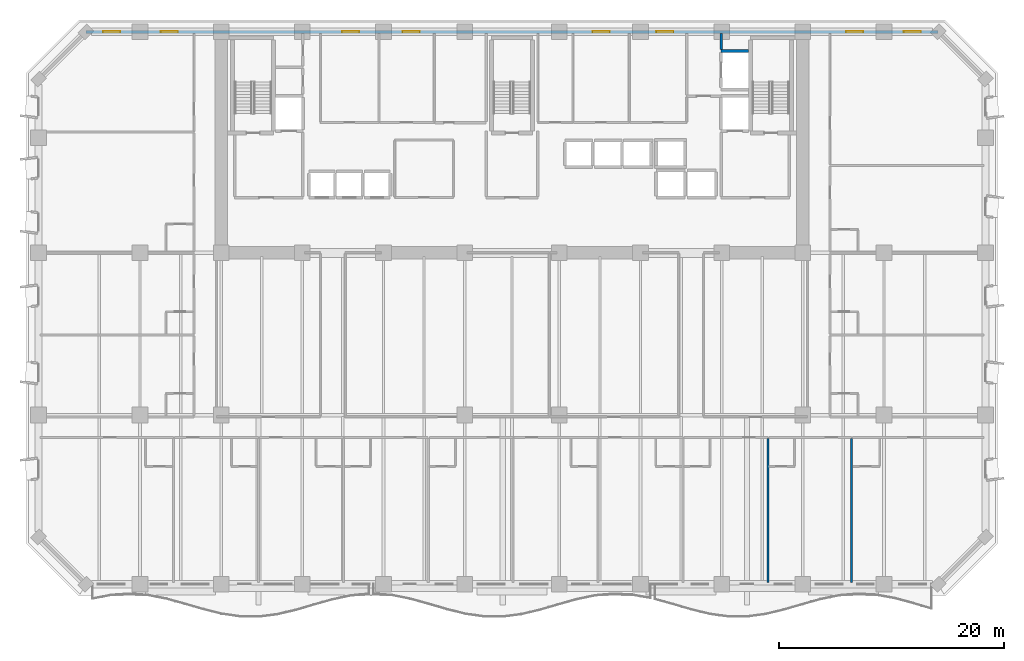
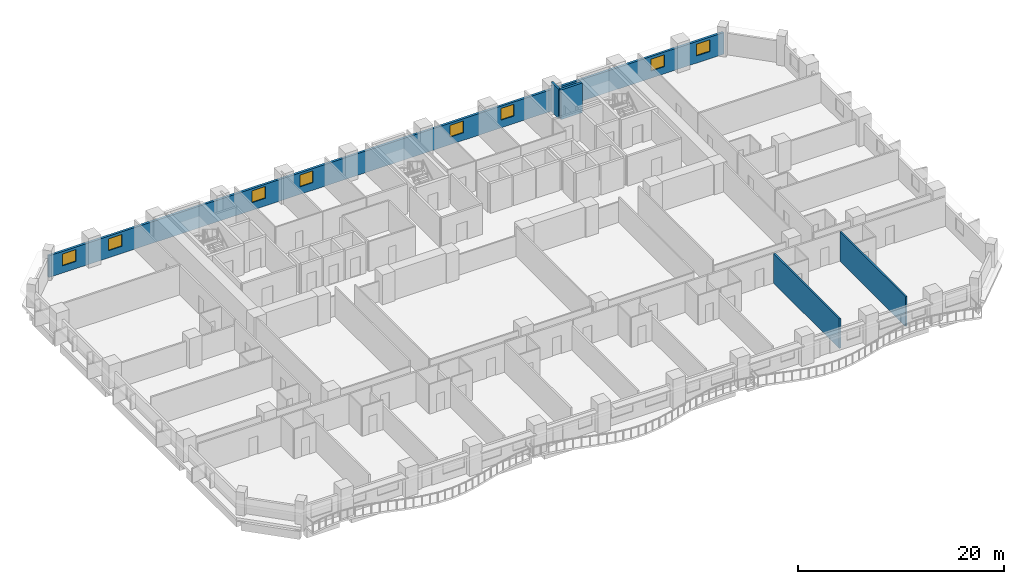
# One storey, part 9 of 15: 8 windows, 5 walls, 8 openings.
"""IFC4 building model written with IfcOpenShell, lengths in metres."""

from ifc_helpers import new_model, si_unit, direction, frame, frame_2d, origin, place, context, subcontext, project, spatial, rectangle, extrude, material, layer, layer_set, type_object, element, fill, save


model = new_model("IFC4")

# Units and contexts
model_context = context("Model", 3, precision=1e-05, world=origin(), true_north=direction((0.0, 1.0)))
body_context = subcontext(model_context, "Body", "Model", "MODEL_VIEW")
ifc_project = project(units=[si_unit("LENGTHUNIT", "METRE"), si_unit("AREAUNIT", "SQUARE_METRE"), si_unit("VOLUMEUNIT", "CUBIC_METRE"), si_unit("PLANEANGLEUNIT", "RADIAN"), si_unit("MASSUNIT", "GRAM", prefix="KILO")], contexts=[model_context])

# Site, building, storey
site_placement = place(None, origin())
site = spatial("IfcSite", under=ifc_project, at=site_placement, CompositionType="ELEMENT")
building_placement = place(site_placement, origin())
building = spatial("IfcBuilding", under=site, at=building_placement, Name="Kaelvorn Grand Hotel", CompositionType="ELEMENT")
storey_placement = place(building_placement, frame((0.0, 0.0, 65.14990234375)))
storey = spatial("IfcBuildingStorey", under=building, at=storey_placement, Name="L14", CompositionType="ELEMENT", Elevation=65.14990234375)

# Wall, openings, windows
ifc_material_1 = material(Name="Concrete C40/50", Category="concrete")
ifc_layer_1 = layer(ifc_material_1, 0.260009765625)
ifc_layer_set_1 = layer_set([ifc_layer_1], Name="Concrete C40/50")
wall_type_1 = type_object("IfcWallType", Name="WL-EXT-260-C40", PredefinedType="SOLIDWALL", material=ifc_layer_set_1)
wall_1_placement = place(storey_placement, frame((79.800048828125, 49.0, 0.0), z_axis=(0.0, 0.0, 1.0), x_axis=(-1.0, 0.0, 0.0)))
wall_1 = element("IfcWall", 1, at=wall_1_placement, inside=storey, type_object=wall_type_1, Name="L14 Exterior Architectural Concrete Wall 05", PredefinedType="SOLIDWALL", context=body_context, shape_type="SweptSolid", body=[
    extrude(rectangle(XDim=75.60009765625, YDim=0.260009765625, at=frame_2d((37.800048828125, 0.0))), origin(), (0.0, 0.0, 1.0), 2.56005859375),
])
opening_1_placement = place(wall_1_placement, frame((72.56494140625, 0.0, 0.85009765625)))
opening_1 = element("IfcOpeningElement", 2, at=opening_1_placement, cuts=wall_1, Name="Opening W10", PredefinedType="OPENING", context=body_context, shape_type="SweptSolid", body=[
    extrude(rectangle(XDim=1.5, YDim=1.39990234375, at=frame_2d((0.75, 0.699951171875))), frame((0.0, 0.14013671875, 0.0), z_axis=(0.0, -1.0, 0.0), x_axis=(1.0, 0.0, 0.0)), (0.0, 0.0, 1.0), 0.280029296875),
])
opening_2_placement = place(wall_1_placement, frame((67.449951171875, 0.0, 0.85009765625)))
opening_2 = element("IfcOpeningElement", 3, at=opening_2_placement, cuts=wall_1, Name="Opening W10", PredefinedType="OPENING", context=body_context, shape_type="SweptSolid", body=[
    extrude(rectangle(XDim=1.5, YDim=1.39990234375, at=frame_2d((0.75, 0.699951171875))), frame((0.0, 0.14013671875, 0.0), z_axis=(0.0, -1.0, 0.0), x_axis=(1.0, 0.0, 0.0)), (0.0, 0.0, 1.0), 0.280029296875),
])
opening_3_placement = place(wall_1_placement, frame((6.64990234375, 0.0, 0.85009765625)))
opening_3 = element("IfcOpeningElement", 4, at=opening_3_placement, cuts=wall_1, Name="Opening W10", PredefinedType="OPENING", context=body_context, shape_type="SweptSolid", body=[
    extrude(rectangle(XDim=1.5, YDim=1.39990234375, at=frame_2d((0.75, 0.699951171875))), frame((0.0, 0.14013671875, 0.0), z_axis=(0.0, -1.0, 0.0), x_axis=(1.0, 0.0, 0.0)), (0.0, 0.0, 1.0), 0.280029296875),
])
opening_4_placement = place(wall_1_placement, frame((1.534912109375, 0.0, 0.85009765625)))
opening_4 = element("IfcOpeningElement", 5, at=opening_4_placement, cuts=wall_1, Name="Opening W10", PredefinedType="OPENING", context=body_context, shape_type="SweptSolid", body=[
    extrude(rectangle(XDim=1.5, YDim=1.39990234375, at=frame_2d((0.75, 0.699951171875))), frame((0.0, 0.14013671875, 0.0), z_axis=(0.0, -1.0, 0.0), x_axis=(1.0, 0.0, 0.0)), (0.0, 0.0, 1.0), 0.280029296875),
])
opening_5_placement = place(wall_1_placement, frame((51.364990234375, 0.0, 0.89990234375)))
opening_5 = element("IfcOpeningElement", 6, at=opening_5_placement, cuts=wall_1, Name="Opening W10", PredefinedType="OPENING", context=body_context, shape_type="SweptSolid", body=[
    extrude(rectangle(XDim=1.5, YDim=1.39990234375, at=frame_2d((0.75, 0.699951171875))), frame((0.0, 0.14013671875, 0.0), z_axis=(0.0, -1.0, 0.0), x_axis=(1.0, 0.0, 0.0)), (0.0, 0.0, 1.0), 0.280029296875),
])
opening_6_placement = place(wall_1_placement, frame((46.0, 0.0, 0.89990234375)))
opening_6 = element("IfcOpeningElement", 7, at=opening_6_placement, cuts=wall_1, Name="Opening W10", PredefinedType="OPENING", context=body_context, shape_type="SweptSolid", body=[
    extrude(rectangle(XDim=1.5, YDim=1.39990234375, at=frame_2d((0.75, 0.699951171875))), frame((0.0, 0.14013671875, 0.0), z_axis=(0.0, -1.0, 0.0), x_axis=(1.0, 0.0, 0.0)), (0.0, 0.0, 1.0), 0.280029296875),
])
opening_7_placement = place(wall_1_placement, frame((29.14990234375, 0.0, 0.89990234375)))
opening_7 = element("IfcOpeningElement", 8, at=opening_7_placement, cuts=wall_1, Name="Opening W10", PredefinedType="OPENING", context=body_context, shape_type="SweptSolid", body=[
    extrude(rectangle(XDim=1.5, YDim=1.39990234375, at=frame_2d((0.75, 0.699951171875))), frame((0.0, 0.14013671875, 0.0), z_axis=(0.0, -1.0, 0.0), x_axis=(1.0, 0.0, 0.0)), (0.0, 0.0, 1.0), 0.280029296875),
])
opening_8_placement = place(wall_1_placement, frame((23.485107421875, 0.0, 0.89990234375)))
opening_8 = element("IfcOpeningElement", 9, at=opening_8_placement, cuts=wall_1, Name="Opening W10", PredefinedType="OPENING", context=body_context, shape_type="SweptSolid", body=[
    extrude(rectangle(XDim=1.5, YDim=1.39990234375, at=frame_2d((0.75, 0.699951171875))), frame((0.0, 0.14013671875, 0.0), z_axis=(0.0, -1.0, 0.0), x_axis=(1.0, 0.0, 0.0)), (0.0, 0.0, 1.0), 0.280029296875),
])
ifc_material_2 = material(Name="Laminated Low-E Glass", Category="glass")
window_type = type_object("IfcWindowType", Name="WIN-COR-1500x1400", PartitioningType="SINGLE_PANEL", PredefinedType="WINDOW", material=ifc_material_2)
window_1_placement = place(opening_1_placement, origin())
window_1 = element("IfcWindow", 10, at=window_1_placement, inside=storey, type_object=window_type, Name="L14 North Wing Ribbon Window NW01", OverallHeight=1.39990234375, OverallWidth=1.5, PartitioningType="SINGLE_PANEL", PredefinedType="WINDOW", context=body_context, shape_type="SweptSolid", body=[
    extrude(rectangle(XDim=1.5, YDim=1.39990234375, at=frame_2d((0.75, 0.699951171875))), frame((0.0, 0.030029296875, 0.0), z_axis=(0.0, -1.0, 0.0), x_axis=(1.0, 0.0, 0.0)), (0.0, 0.0, 1.0), 0.06005859375),
])
fill(opening_1, window_1)
window_2_placement = place(opening_2_placement, origin())
window_2 = element("IfcWindow", 11, at=window_2_placement, inside=storey, type_object=window_type, Name="L14 North Wing Ribbon Window NW02", OverallHeight=1.39990234375, OverallWidth=1.5, PartitioningType="SINGLE_PANEL", PredefinedType="WINDOW", context=body_context, shape_type="SweptSolid", body=[
    extrude(rectangle(XDim=1.5, YDim=1.39990234375, at=frame_2d((0.75, 0.699951171875))), frame((0.0, 0.030029296875, 0.0), z_axis=(0.0, -1.0, 0.0), x_axis=(1.0, 0.0, 0.0)), (0.0, 0.0, 1.0), 0.06005859375),
])
fill(opening_2, window_2)
window_3_placement = place(opening_3_placement, origin())
window_3 = element("IfcWindow", 12, at=window_3_placement, inside=storey, type_object=window_type, Name="L14 North Wing Ribbon Window NW03", OverallHeight=1.39990234375, OverallWidth=1.5, PartitioningType="SINGLE_PANEL", PredefinedType="WINDOW", context=body_context, shape_type="SweptSolid", body=[
    extrude(rectangle(XDim=1.5, YDim=1.39990234375, at=frame_2d((0.75, 0.699951171875))), frame((0.0, 0.030029296875, 0.0), z_axis=(0.0, -1.0, 0.0), x_axis=(1.0, 0.0, 0.0)), (0.0, 0.0, 1.0), 0.06005859375),
])
fill(opening_3, window_3)
window_4_placement = place(opening_4_placement, origin())
window_4 = element("IfcWindow", 13, at=window_4_placement, inside=storey, type_object=window_type, Name="L14 North Wing Ribbon Window NW04", OverallHeight=1.39990234375, OverallWidth=1.5, PartitioningType="SINGLE_PANEL", PredefinedType="WINDOW", context=body_context, shape_type="SweptSolid", body=[
    extrude(rectangle(XDim=1.5, YDim=1.39990234375, at=frame_2d((0.75, 0.699951171875))), frame((0.0, 0.030029296875, 0.0), z_axis=(0.0, -1.0, 0.0), x_axis=(1.0, 0.0, 0.0)), (0.0, 0.0, 1.0), 0.06005859375),
])
fill(opening_4, window_4)
window_5_placement = place(opening_5_placement, origin())
window_5 = element("IfcWindow", 14, at=window_5_placement, inside=storey, type_object=window_type, Name="L14 North Core Clerestory Ribbon Window NC05", OverallHeight=1.39990234375, OverallWidth=1.5, PartitioningType="SINGLE_PANEL", PredefinedType="WINDOW", context=body_context, shape_type="SweptSolid", body=[
    extrude(rectangle(XDim=1.5, YDim=1.39990234375, at=frame_2d((0.75, 0.699951171875))), frame((0.0, 0.030029296875, 0.0), z_axis=(0.0, -1.0, 0.0), x_axis=(1.0, 0.0, 0.0)), (0.0, 0.0, 1.0), 0.06005859375),
])
fill(opening_5, window_5)
window_6_placement = place(opening_6_placement, origin())
window_6 = element("IfcWindow", 15, at=window_6_placement, inside=storey, type_object=window_type, Name="L14 North Core Clerestory Ribbon Window NC06", OverallHeight=1.39990234375, OverallWidth=1.5, PartitioningType="SINGLE_PANEL", PredefinedType="WINDOW", context=body_context, shape_type="SweptSolid", body=[
    extrude(rectangle(XDim=1.5, YDim=1.39990234375, at=frame_2d((0.75, 0.699951171875))), frame((0.0, 0.030029296875, 0.0), z_axis=(0.0, -1.0, 0.0), x_axis=(1.0, 0.0, 0.0)), (0.0, 0.0, 1.0), 0.06005859375),
])
fill(opening_6, window_6)
window_7_placement = place(opening_7_placement, origin())
window_7 = element("IfcWindow", 16, at=window_7_placement, inside=storey, type_object=window_type, Name="L14 North Core Clerestory Ribbon Window NC07", OverallHeight=1.39990234375, OverallWidth=1.5, PartitioningType="SINGLE_PANEL", PredefinedType="WINDOW", context=body_context, shape_type="SweptSolid", body=[
    extrude(rectangle(XDim=1.5, YDim=1.39990234375, at=frame_2d((0.75, 0.699951171875))), frame((0.0, 0.030029296875, 0.0), z_axis=(0.0, -1.0, 0.0), x_axis=(1.0, 0.0, 0.0)), (0.0, 0.0, 1.0), 0.06005859375),
])
fill(opening_7, window_7)
window_8_placement = place(opening_8_placement, origin())
window_8 = element("IfcWindow", 17, at=window_8_placement, inside=storey, type_object=window_type, Name="L14 North Core Clerestory Ribbon Window NC08", OverallHeight=1.39990234375, OverallWidth=1.5, PartitioningType="SINGLE_PANEL", PredefinedType="WINDOW", context=body_context, shape_type="SweptSolid", body=[
    extrude(rectangle(XDim=1.5, YDim=1.39990234375, at=frame_2d((0.75, 0.699951171875))), frame((0.0, 0.030029296875, 0.0), z_axis=(0.0, -1.0, 0.0), x_axis=(1.0, 0.0, 0.0)), (0.0, 0.0, 1.0), 0.06005859375),
])
fill(opening_8, window_8)

# Walls
ifc_material_3 = material(Name="Acoustic Gypsum & Stud Partition")
ifc_layer_2 = layer(ifc_material_3, 0.179931640625)
ifc_layer_set_2 = layer_set([ifc_layer_2], Name="Acoustic Gypsum & Stud Partition")
wall_type_2 = type_object("IfcWallType", Name="WL-PART-180-EI60", PredefinedType="PARTITIONING", material=ifc_layer_set_2)
for number, where, z_axis, x_axis, name in (
    (18, (64.690673828125, 0.14990234375, 0.0), (0.0, 0.0, 1.0), (0.0, 1.0, 0.0), "L14 Deluxe Panoramic Suite L14-08 E Partition"),
    (19, (72.120361328125, 0.14990234375, 0.0), (0.0, 0.0, 1.0), (0.0, 1.0, 0.0), "L14 Deluxe Panoramic Suite L14-09 E Partition"),
):
    element("IfcWall", number, at=place(storey_placement, frame(where, z_axis=z_axis, x_axis=x_axis)), inside=storey, type_object=wall_type_2, Name=name, PredefinedType="PARTITIONING", context=body_context, shape_type="SweptSolid", body=[
        extrude(rectangle(XDim=12.755126953125, YDim=0.179931640625, at=frame_2d((6.37744140625, 0.0))), origin(), (0.0, 0.0, 1.0), 3.510009765625),
    ])
ifc_layer_3 = layer(ifc_material_1, 0.219970703125)
ifc_layer_set_3 = layer_set([ifc_layer_3], Name="Concrete C40/50")
wall_type_3 = type_object("IfcWallType", Name="WL-PART-220-EI120", PredefinedType="PARTITIONING", material=ifc_layer_set_3)
wall_2_placement = place(storey_placement, frame((60.550048828125, 47.445068359375, 0.0), z_axis=(0.0, 0.0, 1.0), x_axis=(0.0, 1.0, 0.0)))
element("IfcWall", 20, at=wall_2_placement, inside=storey, type_object=wall_type_3, Name="L14 Service Lift Lobby E Partition", PredefinedType="PARTITIONING", context=body_context, shape_type="SweptSolid", body=[
    extrude(rectangle(XDim=1.405029296875, YDim=0.219970703125, at=frame_2d((0.70263671875, 0.0))), origin(), (0.0, 0.0, 1.0), 3.510009765625),
])
ifc_material_4 = material(Name="Concrete C50/60", Category="concrete")
ifc_layer_4 = layer(ifc_material_4, 0.280029296875)
ifc_layer_set_4 = layer_set([ifc_layer_4], Name="Concrete C50/60")
wall_type_4 = type_object("IfcWallType", Name="WL-SHAFT-280-C50", PredefinedType="SHEAR", material=ifc_layer_set_4)
wall_3_placement = place(storey_placement, frame((60.550048828125, 47.300048828125, 0.0), z_axis=(0.0, 0.0, 1.0), x_axis=(1.0, 0.0, 0.0)))
element("IfcWall", 21, at=wall_3_placement, inside=storey, type_object=wall_type_4, Name="L14 Lift SV1 Shaft North Wall", PredefinedType="SHEAR", context=body_context, shape_type="SweptSolid", body=[
    extrude(rectangle(XDim=2.4150390625, YDim=0.280029296875, at=frame_2d((1.20751953125, 0.0))), origin(), (0.0, 0.0, 1.0), 3.510009765625),
])

save(model, "model.ifc")
